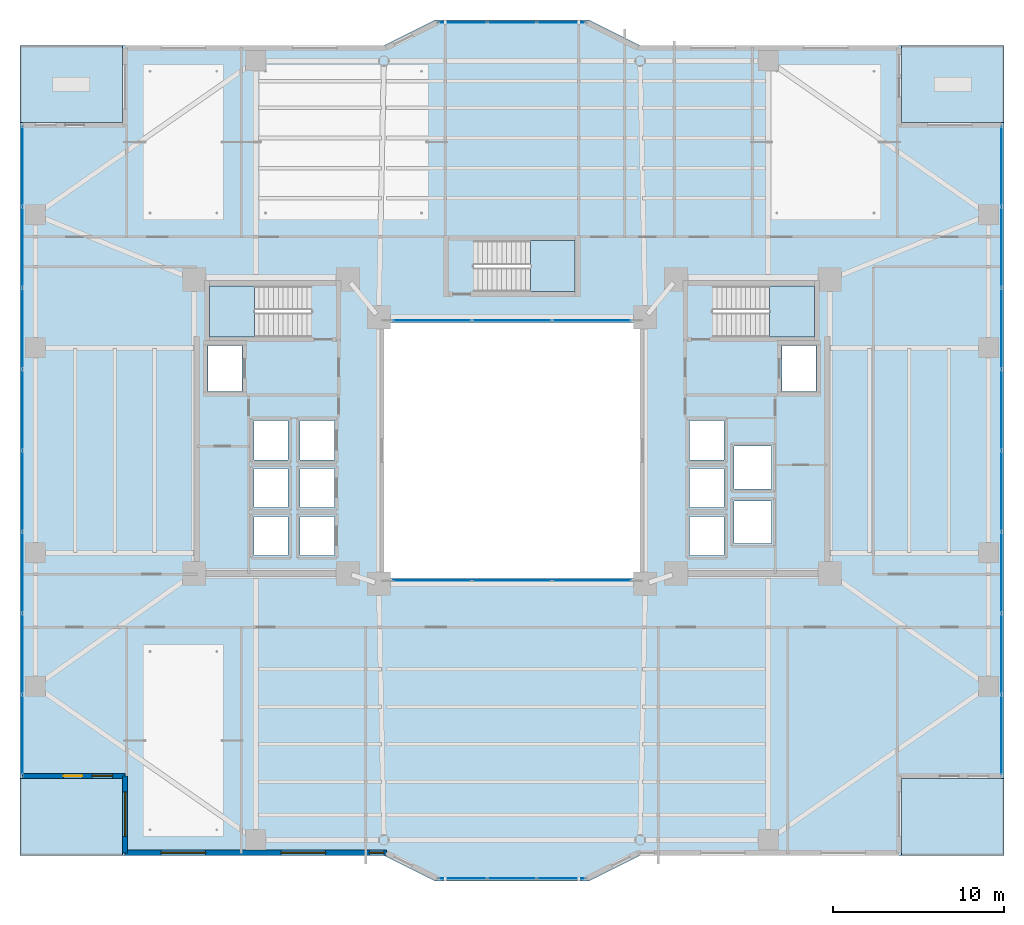
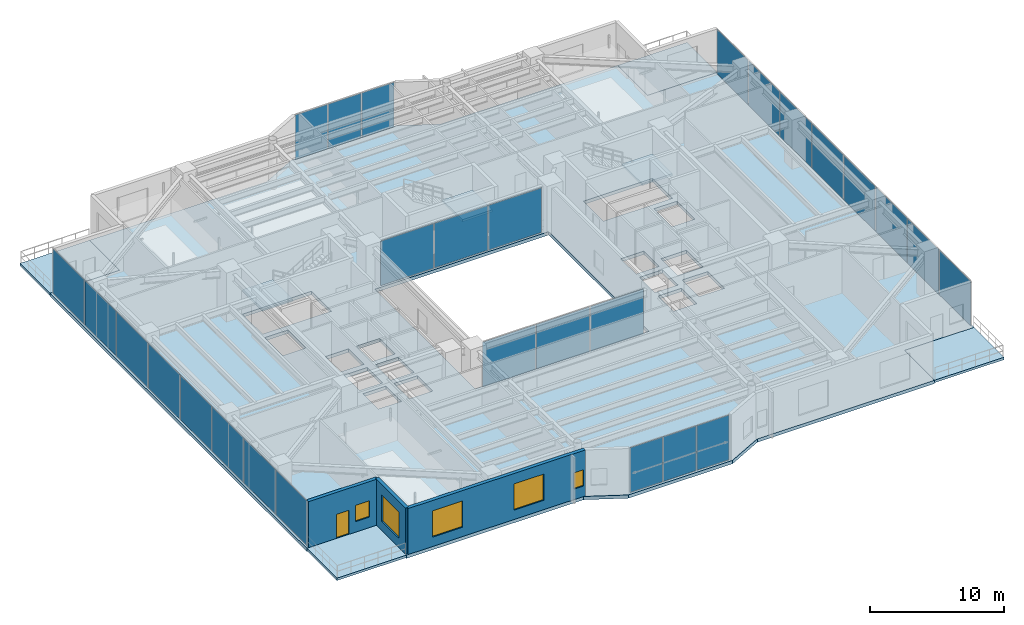
# One storey, part 28 of 40: 28 plates, 8 slabs, 5 windows, 3 walls, 1 door, 6 openings, 9 elements without a shape of their own.
"""IFC4 building model written with IfcOpenShell, lengths in metres."""

from ifc_helpers import new_model, si_unit, direction, frame, frame_2d, origin, origin_2d, place, context, subcontext, project, spatial, polyline, rectangle, outline, extrude, material, layer, layer_set, type_object, element, fill, aggregate, save


model = new_model("IFC4")

# Units and contexts
model_context = context("Model", 3, precision=1e-05, world=origin(), true_north=direction((0.0, 1.0)))
body_context = subcontext(model_context, "Body", "Model", "MODEL_VIEW")
ifc_project = project(units=[si_unit("LENGTHUNIT", "METRE"), si_unit("AREAUNIT", "SQUARE_METRE"), si_unit("VOLUMEUNIT", "CUBIC_METRE"), si_unit("PLANEANGLEUNIT", "RADIAN"), si_unit("MASSUNIT", "GRAM", prefix="KILO")], contexts=[model_context])

# Site, building, storey
site_placement = place(None, origin())
site = spatial("IfcSite", under=ifc_project, at=site_placement, CompositionType="ELEMENT")
building_placement = place(site_placement, origin())
building = spatial("IfcBuilding", under=site, at=building_placement, Name="Tarnavaz Court Tower", CompositionType="ELEMENT")
storey_placement = place(building_placement, frame((0.0, 0.0, 64.199951171875)))
storey = spatial("IfcBuildingStorey", under=building, at=storey_placement, Name="L17", CompositionType="ELEMENT", Elevation=64.199951171875)

# Curtain wall, plates
ifc_material_1 = material(Name="Anodised Aluminium 6063-T6 and Solar Low-E Glazing", Category="aluminium")
ifc_layer_1 = layer(ifc_material_1, 0.139892578125)
ifc_layer_set_1 = layer_set([ifc_layer_1], Name="Anodised Aluminium 6063-T6 and Solar Low-E Glazing")
curtain_wall_type_1 = type_object("IfcCurtainWallType", Name="CW-SYS-04", PredefinedType="NOTDEFINED", material=ifc_layer_set_1)
curtain_wall_1_placement = place(storey_placement, origin())
curtain_wall_1 = element("IfcCurtainWall", 1, at=curtain_wall_1_placement, inside=storey, type_object=curtain_wall_type_1, Name="L17 Badgir Courtyard Curtain Wall S", PredefinedType="NOTDEFINED")
ifc_material_2 = material(Name="Double-Glazed Solar Low-E Glass", Category="glass")
ifc_layer_2 = layer(ifc_material_2, 0.028076171875)
ifc_layer_set_2 = layer_set([ifc_layer_2], Name="Double-Glazed Solar Low-E Glass")
plate_type = type_object("IfcPlateType", Name="CW-PAN-GLZ28", PredefinedType="CURTAIN_PANEL", material=ifc_layer_set_2)
plate_1_placement = place(storey_placement, frame((-4.6611328125, -7.6201171875, 0.06494140625), z_axis=(0.0, 0.0, 1.0), x_axis=(1.0, 0.0, 0.0)))
plate_1 = element("IfcPlate", 2, at=plate_1_placement, type_object=plate_type, Name="CW panel 1.1", PredefinedType="CURTAIN_PANEL", context=body_context, shape_type="SweptSolid", body=[
    extrude(rectangle(XDim=4.5673828125, YDim=0.028076171875, at=origin_2d()), origin(), (0.0, 0.0, 1.0), 4.070068359375),
])
plate_2_placement = place(storey_placement, frame((0.0, -7.6201171875, 0.06494140625), z_axis=(0.0, 0.0, 1.0), x_axis=(1.0, 0.0, 0.0)))
plate_2 = element("IfcPlate", 3, at=plate_2_placement, type_object=plate_type, Name="CW panel 2.1", PredefinedType="CURTAIN_PANEL", context=body_context, shape_type="SweptSolid", body=[
    extrude(rectangle(XDim=4.60498046875, YDim=0.028076171875, at=origin_2d()), origin(), (0.0, 0.0, 1.0), 4.070068359375),
])
plate_3_placement = place(storey_placement, frame((4.6611328125, -7.6201171875, 0.06494140625), z_axis=(0.0, 0.0, 1.0), x_axis=(1.0, 0.0, 0.0)))
plate_3 = element("IfcPlate", 4, at=plate_3_placement, type_object=plate_type, Name="CW panel 3.1", PredefinedType="CURTAIN_PANEL", context=body_context, shape_type="SweptSolid", body=[
    extrude(rectangle(XDim=4.5673828125, YDim=0.028076171875, at=origin_2d()), origin(), (0.0, 0.0, 1.0), 4.070068359375),
])
aggregate(curtain_wall_1, [plate_1, plate_2, plate_3])

curtain_wall_2_placement = place(storey_placement, origin())
curtain_wall_2 = element("IfcCurtainWall", 5, at=curtain_wall_2_placement, inside=storey, type_object=curtain_wall_type_1, Name="L17 Badgir Courtyard Curtain Wall N", PredefinedType="NOTDEFINED")
plate_4_placement = place(storey_placement, frame((4.6611328125, 7.6201171875, 0.06494140625), z_axis=(0.0, 0.0, 1.0), x_axis=(-1.0, 0.0, 0.0)))
plate_4 = element("IfcPlate", 6, at=plate_4_placement, type_object=plate_type, Name="CW panel 1.1", PredefinedType="CURTAIN_PANEL", context=body_context, shape_type="SweptSolid", body=[
    extrude(rectangle(XDim=4.5673828125, YDim=0.028076171875, at=origin_2d()), origin(), (0.0, 0.0, 1.0), 4.070068359375),
])
plate_5_placement = place(storey_placement, frame((0.0, 7.6201171875, 0.06494140625), z_axis=(0.0, 0.0, 1.0), x_axis=(-1.0, 0.0, 0.0)))
plate_5 = element("IfcPlate", 7, at=plate_5_placement, type_object=plate_type, Name="CW panel 2.1", PredefinedType="CURTAIN_PANEL", context=body_context, shape_type="SweptSolid", body=[
    extrude(rectangle(XDim=4.60498046875, YDim=0.028076171875, at=origin_2d()), origin(), (0.0, 0.0, 1.0), 4.070068359375),
])
plate_6_placement = place(storey_placement, frame((-4.6611328125, 7.6201171875, 0.06494140625), z_axis=(0.0, 0.0, 1.0), x_axis=(-1.0, 0.0, 0.0)))
plate_6 = element("IfcPlate", 8, at=plate_6_placement, type_object=plate_type, Name="CW panel 3.1", PredefinedType="CURTAIN_PANEL", context=body_context, shape_type="SweptSolid", body=[
    extrude(rectangle(XDim=4.5673828125, YDim=0.028076171875, at=origin_2d()), origin(), (0.0, 0.0, 1.0), 4.070068359375),
])
aggregate(curtain_wall_2, [plate_4, plate_5, plate_6])

ifc_layer_3 = layer(ifc_material_1, 0.199951171875)
ifc_layer_set_3 = layer_set([ifc_layer_3], Name="Anodised Aluminium 6063-T6 and Solar Low-E Glazing")
curtain_wall_type_2 = type_object("IfcCurtainWallType", Name="CW-SYS-05", PredefinedType="NOTDEFINED", material=ifc_layer_set_3)
curtain_wall_3_placement = place(storey_placement, origin())
curtain_wall_3 = element("IfcCurtainWall", 9, at=curtain_wall_3_placement, inside=storey, type_object=curtain_wall_type_2, Name="L17 Sky-Portal Curtain Wall 2", PredefinedType="NOTDEFINED")
plate_7_placement = place(storey_placement, frame((-28.64990234375, -16.6474609375, 0.06494140625), z_axis=(0.0, 0.0, 1.0), x_axis=(0.0, 1.0, 0.0)))
plate_7 = element("IfcPlate", 10, at=plate_7_placement, type_object=plate_type, Name="CW panel 1.1", PredefinedType="CURTAIN_PANEL", context=body_context, shape_type="SweptSolid", body=[
    extrude(rectangle(XDim=4.635009765625, YDim=0.028076171875, at=origin_2d()), origin(), (0.0, 0.0, 1.0), 4.070068359375),
])
plate_8_placement = place(storey_placement, frame((-28.64990234375, -11.90625, 0.06494140625), z_axis=(0.0, 0.0, 1.0), x_axis=(0.0, 1.0, 0.0)))
plate_8 = element("IfcPlate", 11, at=plate_8_placement, type_object=plate_type, Name="CW panel 2.1", PredefinedType="CURTAIN_PANEL", context=body_context, shape_type="SweptSolid", body=[
    extrude(rectangle(XDim=4.677490234375, YDim=0.028076171875, at=origin_2d()), origin(), (0.0, 0.0, 1.0), 4.070068359375),
])
plate_9_placement = place(storey_placement, frame((-28.64990234375, -7.143798828125, 0.06494140625), z_axis=(0.0, 0.0, 1.0), x_axis=(0.0, 1.0, 0.0)))
plate_9 = element("IfcPlate", 12, at=plate_9_placement, type_object=plate_type, Name="CW panel 3.1", PredefinedType="CURTAIN_PANEL", context=body_context, shape_type="SweptSolid", body=[
    extrude(rectangle(XDim=4.677490234375, YDim=0.028076171875, at=origin_2d()), origin(), (0.0, 0.0, 1.0), 4.070068359375),
])
plate_10_placement = place(storey_placement, frame((-28.64990234375, -2.38134765625, 0.06494140625), z_axis=(0.0, 0.0, 1.0), x_axis=(0.0, 1.0, 0.0)))
plate_10 = element("IfcPlate", 13, at=plate_10_placement, type_object=plate_type, Name="CW panel 4.1", PredefinedType="CURTAIN_PANEL", context=body_context, shape_type="SweptSolid", body=[
    extrude(rectangle(XDim=4.677490234375, YDim=0.028076171875, at=origin_2d()), origin(), (0.0, 0.0, 1.0), 4.070068359375),
])
plate_11_placement = place(storey_placement, frame((-28.64990234375, 2.38134765625, 0.06494140625), z_axis=(0.0, 0.0, 1.0), x_axis=(0.0, 1.0, 0.0)))
plate_11 = element("IfcPlate", 14, at=plate_11_placement, type_object=plate_type, Name="CW panel 5.1", PredefinedType="CURTAIN_PANEL", context=body_context, shape_type="SweptSolid", body=[
    extrude(rectangle(XDim=4.677490234375, YDim=0.028076171875, at=origin_2d()), origin(), (0.0, 0.0, 1.0), 4.070068359375),
])
plate_12_placement = place(storey_placement, frame((-28.64990234375, 7.143798828125, 0.06494140625), z_axis=(0.0, 0.0, 1.0), x_axis=(0.0, 1.0, 0.0)))
plate_12 = element("IfcPlate", 15, at=plate_12_placement, type_object=plate_type, Name="CW panel 6.1", PredefinedType="CURTAIN_PANEL", context=body_context, shape_type="SweptSolid", body=[
    extrude(rectangle(XDim=4.677490234375, YDim=0.028076171875, at=origin_2d()), origin(), (0.0, 0.0, 1.0), 4.070068359375),
])
plate_13_placement = place(storey_placement, frame((-28.64990234375, 11.90625, 0.06494140625), z_axis=(0.0, 0.0, 1.0), x_axis=(0.0, 1.0, 0.0)))
plate_13 = element("IfcPlate", 16, at=plate_13_placement, type_object=plate_type, Name="CW panel 7.1", PredefinedType="CURTAIN_PANEL", context=body_context, shape_type="SweptSolid", body=[
    extrude(rectangle(XDim=4.677490234375, YDim=0.028076171875, at=origin_2d()), origin(), (0.0, 0.0, 1.0), 4.070068359375),
])
plate_14_placement = place(storey_placement, frame((-28.64990234375, 16.6474609375, 0.06494140625), z_axis=(0.0, 0.0, 1.0), x_axis=(0.0, 1.0, 0.0)))
plate_14 = element("IfcPlate", 17, at=plate_14_placement, type_object=plate_type, Name="CW panel 8.1", PredefinedType="CURTAIN_PANEL", context=body_context, shape_type="SweptSolid", body=[
    extrude(rectangle(XDim=4.635009765625, YDim=0.028076171875, at=origin_2d()), origin(), (0.0, 0.0, 1.0), 4.070068359375),
])
aggregate(curtain_wall_3, [plate_7, plate_8, plate_9, plate_10, plate_11, plate_12, plate_13, plate_14])

ifc_layer_4 = layer(ifc_material_1, 0.179931640625)
ifc_layer_set_4 = layer_set([ifc_layer_4], Name="Anodised Aluminium 6063-T6 and Solar Low-E Glazing")
curtain_wall_type_3 = type_object("IfcCurtainWallType", Name="CW-SYS-02", PredefinedType="NOTDEFINED", material=ifc_layer_set_4)
curtain_wall_4_placement = place(storey_placement, origin())
curtain_wall_4 = element("IfcCurtainWall", 18, at=curtain_wall_4_placement, inside=storey, type_object=curtain_wall_type_3, Name="L17 Iwan Prow Curtain Wall 7", PredefinedType="NOTDEFINED")
plate_15_placement = place(storey_placement, frame((-2.88134765625, 25.050048828125, 0.06494140625), z_axis=(0.0, 0.0, 1.0), x_axis=(1.0, 0.0, 0.0)))
plate_15 = element("IfcPlate", 19, at=plate_15_placement, type_object=plate_type, Name="CW panel 1.1", PredefinedType="CURTAIN_PANEL", context=body_context, shape_type="SweptSolid", body=[
    extrude(rectangle(XDim=2.78759765625, YDim=0.028076171875, at=origin_2d()), origin(), (0.0, 0.0, 1.0), 4.070068359375),
])
plate_16_placement = place(storey_placement, frame((0.0, 25.050048828125, 0.06494140625), z_axis=(0.0, 0.0, 1.0), x_axis=(1.0, 0.0, 0.0)))
plate_16 = element("IfcPlate", 20, at=plate_16_placement, type_object=plate_type, Name="CW panel 2.1", PredefinedType="CURTAIN_PANEL", context=body_context, shape_type="SweptSolid", body=[
    extrude(rectangle(XDim=2.824951171875, YDim=0.028076171875, at=origin_2d()), origin(), (0.0, 0.0, 1.0), 4.070068359375),
])
plate_17_placement = place(storey_placement, frame((2.88134765625, 25.050048828125, 0.06494140625), z_axis=(0.0, 0.0, 1.0), x_axis=(1.0, 0.0, 0.0)))
plate_17 = element("IfcPlate", 21, at=plate_17_placement, type_object=plate_type, Name="CW panel 3.1", PredefinedType="CURTAIN_PANEL", context=body_context, shape_type="SweptSolid", body=[
    extrude(rectangle(XDim=2.78759765625, YDim=0.028076171875, at=origin_2d()), origin(), (0.0, 0.0, 1.0), 4.070068359375),
])
aggregate(curtain_wall_4, [plate_15, plate_16, plate_17])

curtain_wall_5_placement = place(storey_placement, origin())
curtain_wall_5 = element("IfcCurtainWall", 22, at=curtain_wall_5_placement, inside=storey, type_object=curtain_wall_type_2, Name="L17 Sky-Portal Curtain Wall 12", PredefinedType="NOTDEFINED")
plate_18_placement = place(storey_placement, frame((28.64990234375, 16.6474609375, 0.06494140625), z_axis=(0.0, 0.0, 1.0), x_axis=(0.0, -1.0, 0.0)))
plate_18 = element("IfcPlate", 23, at=plate_18_placement, type_object=plate_type, Name="CW panel 1.1", PredefinedType="CURTAIN_PANEL", context=body_context, shape_type="SweptSolid", body=[
    extrude(rectangle(XDim=4.635009765625, YDim=0.028076171875, at=origin_2d()), origin(), (0.0, 0.0, 1.0), 4.070068359375),
])
plate_19_placement = place(storey_placement, frame((28.64990234375, 11.90625, 0.06494140625), z_axis=(0.0, 0.0, 1.0), x_axis=(0.0, -1.0, 0.0)))
plate_19 = element("IfcPlate", 24, at=plate_19_placement, type_object=plate_type, Name="CW panel 2.1", PredefinedType="CURTAIN_PANEL", context=body_context, shape_type="SweptSolid", body=[
    extrude(rectangle(XDim=4.677490234375, YDim=0.028076171875, at=origin_2d()), origin(), (0.0, 0.0, 1.0), 4.070068359375),
])
plate_20_placement = place(storey_placement, frame((28.64990234375, 7.143798828125, 0.06494140625), z_axis=(0.0, 0.0, 1.0), x_axis=(0.0, -1.0, 0.0)))
plate_20 = element("IfcPlate", 25, at=plate_20_placement, type_object=plate_type, Name="CW panel 3.1", PredefinedType="CURTAIN_PANEL", context=body_context, shape_type="SweptSolid", body=[
    extrude(rectangle(XDim=4.677490234375, YDim=0.028076171875, at=origin_2d()), origin(), (0.0, 0.0, 1.0), 4.070068359375),
])
plate_21_placement = place(storey_placement, frame((28.64990234375, 2.38134765625, 0.06494140625), z_axis=(0.0, 0.0, 1.0), x_axis=(0.0, -1.0, 0.0)))
plate_21 = element("IfcPlate", 26, at=plate_21_placement, type_object=plate_type, Name="CW panel 4.1", PredefinedType="CURTAIN_PANEL", context=body_context, shape_type="SweptSolid", body=[
    extrude(rectangle(XDim=4.677490234375, YDim=0.028076171875, at=origin_2d()), origin(), (0.0, 0.0, 1.0), 4.070068359375),
])
plate_22_placement = place(storey_placement, frame((28.64990234375, -2.38134765625, 0.06494140625), z_axis=(0.0, 0.0, 1.0), x_axis=(0.0, -1.0, 0.0)))
plate_22 = element("IfcPlate", 27, at=plate_22_placement, type_object=plate_type, Name="CW panel 5.1", PredefinedType="CURTAIN_PANEL", context=body_context, shape_type="SweptSolid", body=[
    extrude(rectangle(XDim=4.677490234375, YDim=0.028076171875, at=origin_2d()), origin(), (0.0, 0.0, 1.0), 4.070068359375),
])
plate_23_placement = place(storey_placement, frame((28.64990234375, -7.143798828125, 0.06494140625), z_axis=(0.0, 0.0, 1.0), x_axis=(0.0, -1.0, 0.0)))
plate_23 = element("IfcPlate", 28, at=plate_23_placement, type_object=plate_type, Name="CW panel 6.1", PredefinedType="CURTAIN_PANEL", context=body_context, shape_type="SweptSolid", body=[
    extrude(rectangle(XDim=4.677490234375, YDim=0.028076171875, at=origin_2d()), origin(), (0.0, 0.0, 1.0), 4.070068359375),
])
plate_24_placement = place(storey_placement, frame((28.64990234375, -11.90625, 0.06494140625), z_axis=(0.0, 0.0, 1.0), x_axis=(0.0, -1.0, 0.0)))
plate_24 = element("IfcPlate", 29, at=plate_24_placement, type_object=plate_type, Name="CW panel 7.1", PredefinedType="CURTAIN_PANEL", context=body_context, shape_type="SweptSolid", body=[
    extrude(rectangle(XDim=4.677490234375, YDim=0.028076171875, at=origin_2d()), origin(), (0.0, 0.0, 1.0), 4.070068359375),
])
plate_25_placement = place(storey_placement, frame((28.64990234375, -16.6474609375, 0.06494140625), z_axis=(0.0, 0.0, 1.0), x_axis=(0.0, -1.0, 0.0)))
plate_25 = element("IfcPlate", 30, at=plate_25_placement, type_object=plate_type, Name="CW panel 8.1", PredefinedType="CURTAIN_PANEL", context=body_context, shape_type="SweptSolid", body=[
    extrude(rectangle(XDim=4.635009765625, YDim=0.028076171875, at=origin_2d()), origin(), (0.0, 0.0, 1.0), 4.070068359375),
])
aggregate(curtain_wall_5, [plate_18, plate_19, plate_20, plate_21, plate_22, plate_23, plate_24, plate_25])

curtain_wall_6_placement = place(storey_placement, origin())
curtain_wall_6 = element("IfcCurtainWall", 31, at=curtain_wall_6_placement, inside=storey, type_object=curtain_wall_type_3, Name="L17 Iwan Prow Curtain Wall 17", PredefinedType="NOTDEFINED")
plate_26_placement = place(storey_placement, frame((2.88134765625, -25.050048828125, 0.06494140625), z_axis=(0.0, 0.0, 1.0), x_axis=(-1.0, 0.0, 0.0)))
plate_26 = element("IfcPlate", 32, at=plate_26_placement, type_object=plate_type, Name="CW panel 1.1", PredefinedType="CURTAIN_PANEL", context=body_context, shape_type="SweptSolid", body=[
    extrude(rectangle(XDim=2.78759765625, YDim=0.028076171875, at=origin_2d()), origin(), (0.0, 0.0, 1.0), 4.070068359375),
])
plate_27_placement = place(storey_placement, frame((0.0, -25.050048828125, 0.06494140625), z_axis=(0.0, 0.0, 1.0), x_axis=(-1.0, 0.0, 0.0)))
plate_27 = element("IfcPlate", 33, at=plate_27_placement, type_object=plate_type, Name="CW panel 2.1", PredefinedType="CURTAIN_PANEL", context=body_context, shape_type="SweptSolid", body=[
    extrude(rectangle(XDim=2.824951171875, YDim=0.028076171875, at=origin_2d()), origin(), (0.0, 0.0, 1.0), 4.070068359375),
])
plate_28_placement = place(storey_placement, frame((-2.88134765625, -25.050048828125, 0.06494140625), z_axis=(0.0, 0.0, 1.0), x_axis=(-1.0, 0.0, 0.0)))
plate_28 = element("IfcPlate", 34, at=plate_28_placement, type_object=plate_type, Name="CW panel 3.1", PredefinedType="CURTAIN_PANEL", context=body_context, shape_type="SweptSolid", body=[
    extrude(rectangle(XDim=2.78759765625, YDim=0.028076171875, at=origin_2d()), origin(), (0.0, 0.0, 1.0), 4.070068359375),
])
aggregate(curtain_wall_6, [plate_26, plate_27, plate_28])

# Stair, slab
ifc_material_3 = material(Name="Concrete C40/50", Category="concrete")
stair_type = type_object("IfcStairType", Name="ST-TWR-26R", PredefinedType="HALF_TURN_STAIR", material=ifc_material_3)
stair_1_placement = place(storey_placement, origin())
stair_1 = element("IfcStair", 35, at=stair_1_placement, inside=storey, type_object=stair_type, Name="L17 West Core Pressurized Exit Stair ST-W1", PredefinedType="HALF_TURN_STAIR")
ifc_layer_5 = layer(ifc_material_3, 0.199951171875)
ifc_layer_set_5 = layer_set([ifc_layer_5], Name="Concrete C40/50")
slab_type_1 = type_object("IfcSlabType", Name="SL-LAND-200", PredefinedType="LANDING", material=ifc_layer_set_5)
slab_1_placement = place(storey_placement, frame((0.0, 0.0, 2.050048828125)))
slab_1 = element("IfcSlab", 36, at=slab_1_placement, type_object=slab_type_1, Name="ST-W1 landing 1", PredefinedType="LANDING", context=body_context, shape_type="SweptSolid", body=[
    extrude(outline(polyline([(-15.080078125, 9.639892578125), (-17.699951171875, 9.639892578125), (-17.699951171875, 6.64990234375), (-15.080078125, 6.64990234375), (-15.080078125, 9.639892578125)])), origin(), (0.0, 0.0, 1.0), 0.199951171875),
])
aggregate(stair_1, [slab_1])

stair_2_placement = place(storey_placement, origin())
stair_2 = element("IfcStair", 37, at=stair_2_placement, inside=storey, type_object=stair_type, Name="L17 East Core Pressurized Exit Stair ST-E1", PredefinedType="HALF_TURN_STAIR")
slab_2_placement = place(storey_placement, frame((0.0, 0.0, 2.050048828125)))
slab_2 = element("IfcSlab", 38, at=slab_2_placement, type_object=slab_type_1, Name="ST-E1 landing 1", PredefinedType="LANDING", context=body_context, shape_type="SweptSolid", body=[
    extrude(outline(polyline([(15.080078125, 6.64990234375), (17.699951171875, 6.64990234375), (17.699951171875, 9.639892578125), (15.080078125, 9.639892578125), (15.080078125, 6.64990234375)])), origin(), (0.0, 0.0, 1.0), 0.199951171875),
])
aggregate(stair_2, [slab_2])

stair_3_placement = place(storey_placement, origin())
stair_3 = element("IfcStair", 39, at=stair_3_placement, inside=storey, type_object=stair_type, Name="L17 North Ring Pressurized Exit Stair ST-N1", PredefinedType="HALF_TURN_STAIR")
slab_3_placement = place(storey_placement, frame((0.0, 0.0, 2.050048828125)))
slab_3 = element("IfcSlab", 40, at=slab_3_placement, type_object=slab_type_1, Name="ST-N1 landing 1", PredefinedType="LANDING", context=body_context, shape_type="SweptSolid", body=[
    extrude(outline(polyline([(1.080078125, 9.300048828125), (3.699951171875, 9.300048828125), (3.699951171875, 12.2900390625), (1.080078125, 12.2900390625), (1.080078125, 9.300048828125)])), origin(), (0.0, 0.0, 1.0), 0.199951171875),
])
aggregate(stair_3, [slab_3])

# Slabs
ifc_layer_6 = layer(ifc_material_3, 0.300048828125)
ifc_layer_set_6 = layer_set([ifc_layer_6], Name="Concrete C40/50")
slab_type_2 = type_object("IfcSlabType", Name="SL-POD-300", PredefinedType="FLOOR", material=ifc_layer_set_6)
slab_4_placement = place(storey_placement, frame((0.0, 0.0, -0.300048828125)))
element("IfcSlab", 41, at=slab_4_placement, inside=storey, type_object=slab_type_2, Name="L17 Structural Floor Slab", PredefinedType="FLOOR", context=body_context, shape_type="SweptSolid", body=[
    extrude(outline(polyline([(-22.800048828125, -23.699951171875), (-7.5, -23.699951171875), (-4.5, -25.199951171875), (4.5, -25.199951171875), (7.5, -23.699951171875), (22.800048828125, -23.699951171875), (22.800048828125, -19.199951171875), (28.800048828125, -19.199951171875), (28.800048828125, 19.199951171875), (22.800048828125, 19.199951171875), (22.800048828125, 23.699951171875), (7.5, 23.699951171875), (4.5, 25.199951171875), (-4.5, 25.199951171875), (-7.5, 23.699951171875), (-22.800048828125, 23.699951171875), (-22.800048828125, 19.199951171875), (-28.800048828125, 19.199951171875), (-28.800048828125, -19.199951171875), (-22.800048828125, -19.199951171875), (-22.800048828125, -23.699951171875)]), holes=[polyline([(-7.5, -7.5), (7.5, -7.5), (7.5, 7.5), (-7.5, 7.5), (-7.5, -7.5)]), polyline([(-11.7451171875, 9.639892578125), (-17.699951171875, 9.639892578125), (-17.699951171875, 6.64990234375), (-11.7451171875, 6.64990234375), (-11.7451171875, 9.639892578125)]), polyline([(11.7451171875, 6.64990234375), (17.699951171875, 6.64990234375), (17.699951171875, 9.639892578125), (11.7451171875, 9.639892578125), (11.7451171875, 6.64990234375)]), polyline([(-2.2548828125, 9.300048828125), (3.699951171875, 9.300048828125), (3.699951171875, 12.2900390625), (-2.2548828125, 12.2900390625), (-2.2548828125, 9.300048828125)]), polyline([(-17.800048828125, 3.449951171875), (-15.800048828125, 3.449951171875), (-15.800048828125, 6.14990234375), (-17.800048828125, 6.14990234375), (-17.800048828125, 3.449951171875)]), polyline([(-12.39990234375, -6.14990234375), (-10.39990234375, -6.14990234375), (-10.39990234375, -3.85009765625), (-12.39990234375, -3.85009765625), (-12.39990234375, -6.14990234375)]), polyline([(-12.39990234375, -3.35009765625), (-10.39990234375, -3.35009765625), (-10.39990234375, -1.050048828125), (-12.39990234375, -1.050048828125), (-12.39990234375, -3.35009765625)]), polyline([(-12.39990234375, -0.550048828125), (-10.39990234375, -0.550048828125), (-10.39990234375, 1.75), (-12.39990234375, 1.75), (-12.39990234375, -0.550048828125)]), polyline([(-15.10009765625, -6.14990234375), (-13.10009765625, -6.14990234375), (-13.10009765625, -3.85009765625), (-15.10009765625, -3.85009765625), (-15.10009765625, -6.14990234375)]), polyline([(-15.10009765625, -3.35009765625), (-13.10009765625, -3.35009765625), (-13.10009765625, -1.050048828125), (-15.10009765625, -1.050048828125), (-15.10009765625, -3.35009765625)]), polyline([(-15.10009765625, -0.550048828125), (-13.10009765625, -0.550048828125), (-13.10009765625, 1.75), (-15.10009765625, 1.75), (-15.10009765625, -0.550048828125)]), polyline([(15.800048828125, 3.449951171875), (17.800048828125, 3.449951171875), (17.800048828125, 6.14990234375), (15.800048828125, 6.14990234375), (15.800048828125, 3.449951171875)]), polyline([(10.39990234375, -6.14990234375), (12.39990234375, -6.14990234375), (12.39990234375, -3.85009765625), (10.39990234375, -3.85009765625), (10.39990234375, -6.14990234375)]), polyline([(10.39990234375, -3.35009765625), (12.39990234375, -3.35009765625), (12.39990234375, -1.050048828125), (10.39990234375, -1.050048828125), (10.39990234375, -3.35009765625)]), polyline([(10.39990234375, -0.550048828125), (12.39990234375, -0.550048828125), (12.39990234375, 1.75), (10.39990234375, 1.75), (10.39990234375, -0.550048828125)]), polyline([(13.0, -5.449951171875), (15.199951171875, -5.449951171875), (15.199951171875, -2.949951171875), (13.0, -2.949951171875), (13.0, -5.449951171875)]), polyline([(13.0, -2.25), (15.199951171875, -2.25), (15.199951171875, 0.25), (13.0, 0.25), (13.0, -2.25)])]), origin(), (0.0, 0.0, 1.0), 0.300048828125),
])
ifc_layer_7 = layer(ifc_material_3, 0.219970703125)
ifc_layer_set_7 = layer_set([ifc_layer_7], Name="Concrete C40/50")
slab_type_3 = type_object("IfcSlabType", Name="SL-TERR-220", PredefinedType="FLOOR", material=ifc_layer_set_7)
slab_5_placement = place(storey_placement, frame((0.0, 0.0, -0.219970703125)))
element("IfcSlab", 42, at=slab_5_placement, inside=storey, type_object=slab_type_3, Name="L17 NE Planted Sky Terrace", PredefinedType="FLOOR", context=body_context, shape_type="SweptSolid", body=[
    extrude(outline(polyline([(22.800048828125, 19.199951171875), (28.800048828125, 19.199951171875), (28.800048828125, 23.699951171875), (22.800048828125, 23.699951171875), (22.800048828125, 19.199951171875)])), origin(), (0.0, 0.0, 1.0), 0.219970703125),
])
slab_6_placement = place(storey_placement, frame((0.0, 0.0, -0.219970703125)))
element("IfcSlab", 43, at=slab_6_placement, inside=storey, type_object=slab_type_3, Name="L17 NW Planted Sky Terrace", PredefinedType="FLOOR", context=body_context, shape_type="SweptSolid", body=[
    extrude(outline(polyline([(-28.800048828125, 19.199951171875), (-22.800048828125, 19.199951171875), (-22.800048828125, 23.699951171875), (-28.800048828125, 23.699951171875), (-28.800048828125, 19.199951171875)])), origin(), (0.0, 0.0, 1.0), 0.219970703125),
])
slab_7_placement = place(storey_placement, frame((0.0, 0.0, -0.219970703125)))
element("IfcSlab", 44, at=slab_7_placement, inside=storey, type_object=slab_type_3, Name="L17 SE Planted Sky Terrace", PredefinedType="FLOOR", context=body_context, shape_type="SweptSolid", body=[
    extrude(outline(polyline([(22.800048828125, -23.699951171875), (28.800048828125, -23.699951171875), (28.800048828125, -19.199951171875), (22.800048828125, -19.199951171875), (22.800048828125, -23.699951171875)])), origin(), (0.0, 0.0, 1.0), 0.219970703125),
])
slab_8_placement = place(storey_placement, frame((0.0, 0.0, -0.219970703125)))
element("IfcSlab", 45, at=slab_8_placement, inside=storey, type_object=slab_type_3, Name="L17 SW Planted Sky Terrace", PredefinedType="FLOOR", context=body_context, shape_type="SweptSolid", body=[
    extrude(outline(polyline([(-28.800048828125, -23.699951171875), (-22.800048828125, -23.699951171875), (-22.800048828125, -19.199951171875), (-28.800048828125, -19.199951171875), (-28.800048828125, -23.699951171875)])), origin(), (0.0, 0.0, 1.0), 0.219970703125),
])

# Wall, openings, door, window
ifc_material_4 = material(Name="Precast Concrete C40/50", Category="concrete")
ifc_layer_8 = layer(ifc_material_4, 0.300048828125)
ifc_layer_set_8 = layer_set([ifc_layer_8], Name="Precast Concrete C40/50")
wall_type = type_object("IfcWallType", Name="WL-EXT-300", PredefinedType="SOLIDWALL", material=ifc_layer_set_8)
wall_1_placement = place(storey_placement, frame((-22.64990234375, -19.050048828125, 0.0), z_axis=(0.0, 0.0, 1.0), x_axis=(-1.0, 0.0, 0.0)))
wall_1 = element("IfcWall", 46, at=wall_1_placement, inside=storey, type_object=wall_type, Name="L17 Exterior Terracotta Facade Wall 01", PredefinedType="SOLIDWALL", context=body_context, shape_type="SweptSolid", body=[
    extrude(rectangle(XDim=6.0, YDim=0.300048828125, at=frame_2d((3.0, 0.0))), origin(), (0.0, 0.0, 1.0), 4.199951171875),
])
opening_1_placement = place(wall_1_placement, frame((2.5, 0.0, 0.0)))
opening_1 = element("IfcOpeningElement", 47, at=opening_1_placement, cuts=wall_1, Name="Opening TD1", PredefinedType="OPENING", context=body_context, shape_type="SweptSolid", body=[
    extrude(rectangle(XDim=1.10009765625, YDim=2.199951171875, at=frame_2d((0.550048828125, 1.10009765625))), frame((0.0, 0.159912109375, 0.0), z_axis=(0.0, -1.0, 0.0), x_axis=(1.0, 0.0, 0.0)), (0.0, 0.0, 1.0), 0.320068359375),
])
opening_2_placement = place(wall_1_placement, frame((0.72998046875, 0.0, 0.949951171875)))
opening_2 = element("IfcOpeningElement", 48, at=opening_2_placement, cuts=wall_1, Name="Opening W05", PredefinedType="OPENING", context=body_context, shape_type="SweptSolid", body=[
    extrude(rectangle(XDim=1.199951171875, YDim=1.5, at=frame_2d((0.60009765625, 0.75))), frame((0.0, 0.159912109375, 0.0), z_axis=(0.0, -1.0, 0.0), x_axis=(1.0, 0.0, 0.0)), (0.0, 0.0, 1.0), 0.320068359375),
])
ifc_material_5 = material(Name="Thermally Broken Aluminium and Laminated Glass", Category="aluminium")
door_type = type_object("IfcDoorType", Name="DR-TERR-1100", OperationType="NOTDEFINED", PredefinedType="DOOR", material=ifc_material_5)
door_placement = place(opening_1_placement, origin())
door = element("IfcDoor", 49, at=door_placement, inside=storey, type_object=door_type, Name="L17 Sky Terrace Access Door 4", OperationType="SINGLE_SWING_RIGHT", OverallHeight=2.199951171875, OverallWidth=1.10009765625, PredefinedType="DOOR", context=body_context, shape_type="SweptSolid", body=[
    extrude(rectangle(XDim=1.10009765625, YDim=2.199951171875, at=frame_2d((0.550048828125, 1.10009765625))), frame((0.0, 0.02490234375, 0.0), z_axis=(0.0, -1.0, 0.0), x_axis=(1.0, 0.0, 0.0)), (0.0, 0.0, 1.0), 0.050048828125),
])
fill(opening_1, door)
window_type_1 = type_object("IfcWindowType", Name="WN-APT-1200", PartitioningType="SINGLE_PANEL", PredefinedType="WINDOW", material=ifc_material_2)
window_1_placement = place(opening_2_placement, origin())
window_1 = element("IfcWindow", 50, at=window_1_placement, inside=storey, type_object=window_type_1, Name="L17 L17 SW Terrace Salon Window", OverallHeight=1.5, OverallWidth=1.199951171875, PartitioningType="SINGLE_PANEL", PredefinedType="WINDOW", context=body_context, shape_type="SweptSolid", body=[
    extrude(rectangle(XDim=1.199951171875, YDim=1.5, at=frame_2d((0.60009765625, 0.75))), frame((0.0, 0.030029296875, 0.0), z_axis=(0.0, -1.0, 0.0), x_axis=(1.0, 0.0, 0.0)), (0.0, 0.0, 1.0), 0.06005859375),
])
fill(opening_2, window_1)

# Wall, openings, windows
wall_2_placement = place(storey_placement, frame((-7.35009765625, -23.550048828125, 0.0), z_axis=(0.0, 0.0, 1.0), x_axis=(-1.0, 0.0, 0.0)))
wall_2 = element("IfcWall", 51, at=wall_2_placement, inside=storey, type_object=wall_type, Name="L17 Exterior Terracotta Facade Wall 19", PredefinedType="SOLIDWALL", context=body_context, shape_type="SweptSolid", body=[
    extrude(rectangle(XDim=15.2998046875, YDim=0.300048828125, at=frame_2d((7.64990234375, 0.0))), origin(), (0.0, 0.0, 1.0), 4.199951171875),
])
opening_3_placement = place(wall_2_placement, frame((0.146728515625, 0.0, 0.949951171875)))
opening_3 = element("IfcOpeningElement", 52, at=opening_3_placement, cuts=wall_2, Name="Opening W15", PredefinedType="OPENING", context=body_context, shape_type="SweptSolid", body=[
    extrude(rectangle(XDim=0.85009765625, YDim=1.5, at=frame_2d((0.425048828125, 0.75))), frame((0.0, 0.159912109375, 0.0), z_axis=(0.0, -1.0, 0.0), x_axis=(1.0, 0.0, 0.0)), (0.0, 0.0, 1.0), 0.320068359375),
])
opening_4_placement = place(wall_2_placement, frame((3.56591796875, 0.0, 0.85009765625)))
opening_4 = element("IfcOpeningElement", 53, at=opening_4_placement, cuts=wall_2, Name="Opening W11", PredefinedType="OPENING", context=body_context, shape_type="SweptSolid", body=[
    extrude(rectangle(XDim=2.60009765625, YDim=2.39990234375, at=frame_2d((1.300048828125, 1.199951171875))), frame((0.0, 0.159912109375, 0.0), z_axis=(0.0, -1.0, 0.0), x_axis=(1.0, 0.0, 0.0)), (0.0, 0.0, 1.0), 0.320068359375),
])
opening_5_placement = place(wall_2_placement, frame((10.5888671875, 0.0, 0.85009765625)))
opening_5 = element("IfcOpeningElement", 54, at=opening_5_placement, cuts=wall_2, Name="Opening W11", PredefinedType="OPENING", context=body_context, shape_type="SweptSolid", body=[
    extrude(rectangle(XDim=2.60009765625, YDim=2.39990234375, at=frame_2d((1.300048828125, 1.199951171875))), frame((0.0, 0.159912109375, 0.0), z_axis=(0.0, -1.0, 0.0), x_axis=(1.0, 0.0, 0.0)), (0.0, 0.0, 1.0), 0.320068359375),
])
window_type_2 = type_object("IfcWindowType", Name="WN-APT-850", PartitioningType="SINGLE_PANEL", PredefinedType="WINDOW", material=ifc_material_2)
window_2_placement = place(opening_3_placement, origin())
window_2 = element("IfcWindow", 55, at=window_2_placement, inside=storey, type_object=window_type_2, Name="L17 L17 Central Iwan Cultural Exhibition Hall Window", OverallHeight=1.5, OverallWidth=0.85009765625, PartitioningType="SINGLE_PANEL", PredefinedType="WINDOW", context=body_context, shape_type="SweptSolid", body=[
    extrude(rectangle(XDim=0.85009765625, YDim=1.5, at=frame_2d((0.425048828125, 0.75))), frame((0.0, 0.030029296875, 0.0), z_axis=(0.0, -1.0, 0.0), x_axis=(1.0, 0.0, 0.0)), (0.0, 0.0, 1.0), 0.06005859375),
])
fill(opening_3, window_2)
window_type_3 = type_object("IfcWindowType", Name="WN-COM-2600", PartitioningType="TRIPLE_PANEL_VERTICAL", PredefinedType="WINDOW", material=ifc_material_2)
window_3_placement = place(opening_4_placement, origin())
window_3 = element("IfcWindow", 56, at=window_3_placement, inside=storey, type_object=window_type_3, Name="L17 L17 South-West Study Room Window", OverallHeight=2.39990234375, OverallWidth=2.60009765625, PartitioningType="SINGLE_PANEL", PredefinedType="WINDOW", context=body_context, shape_type="SweptSolid", body=[
    extrude(rectangle(XDim=2.60009765625, YDim=2.39990234375, at=frame_2d((1.300048828125, 1.199951171875))), frame((0.0, 0.030029296875, 0.0), z_axis=(0.0, -1.0, 0.0), x_axis=(1.0, 0.0, 0.0)), (0.0, 0.0, 1.0), 0.06005859375),
])
fill(opening_4, window_3)
window_4_placement = place(opening_5_placement, origin())
window_4 = element("IfcWindow", 57, at=window_4_placement, inside=storey, type_object=window_type_3, Name="L17 L17 Daycare Classroom Window", OverallHeight=2.39990234375, OverallWidth=2.60009765625, PartitioningType="SINGLE_PANEL", PredefinedType="WINDOW", context=body_context, shape_type="SweptSolid", body=[
    extrude(rectangle(XDim=2.60009765625, YDim=2.39990234375, at=frame_2d((1.300048828125, 1.199951171875))), frame((0.0, 0.030029296875, 0.0), z_axis=(0.0, -1.0, 0.0), x_axis=(1.0, 0.0, 0.0)), (0.0, 0.0, 1.0), 0.06005859375),
])
fill(opening_5, window_4)

# Wall, opening, window
wall_3_placement = place(storey_placement, frame((-22.64990234375, -23.550048828125, 0.0), z_axis=(0.0, 0.0, 1.0), x_axis=(0.0, 1.0, 0.0)))
wall_3 = element("IfcWall", 58, at=wall_3_placement, inside=storey, type_object=wall_type, Name="L17 Exterior Terracotta Facade Wall 20", PredefinedType="SOLIDWALL", context=body_context, shape_type="SweptSolid", body=[
    extrude(rectangle(XDim=4.5, YDim=0.300048828125, at=frame_2d((2.25, 0.0))), origin(), (0.0, 0.0, 1.0), 4.199951171875),
])
opening_6_placement = place(wall_3_placement, frame((0.967529296875, 0.0, 0.85009765625)))
opening_6 = element("IfcOpeningElement", 59, at=opening_6_placement, cuts=wall_3, Name="Opening W11", PredefinedType="OPENING", context=body_context, shape_type="SweptSolid", body=[
    extrude(rectangle(XDim=2.60009765625, YDim=2.39990234375, at=frame_2d((1.300048828125, 1.199951171875))), frame((0.0, 0.159912109375, 0.0), z_axis=(0.0, -1.0, 0.0), x_axis=(1.0, 0.0, 0.0)), (0.0, 0.0, 1.0), 0.320068359375),
])
window_5_placement = place(opening_6_placement, origin())
window_5 = element("IfcWindow", 60, at=window_5_placement, inside=storey, type_object=window_type_3, Name="L17 L17 Daycare Classroom Window", OverallHeight=2.39990234375, OverallWidth=2.60009765625, PartitioningType="SINGLE_PANEL", PredefinedType="WINDOW", context=body_context, shape_type="SweptSolid", body=[
    extrude(rectangle(XDim=2.60009765625, YDim=2.39990234375, at=frame_2d((1.300048828125, 1.199951171875))), frame((0.0, 0.030029296875, 0.0), z_axis=(0.0, -1.0, 0.0), x_axis=(1.0, 0.0, 0.0)), (0.0, 0.0, 1.0), 0.06005859375),
])
fill(opening_6, window_5)

save(model, "model.ifc")
